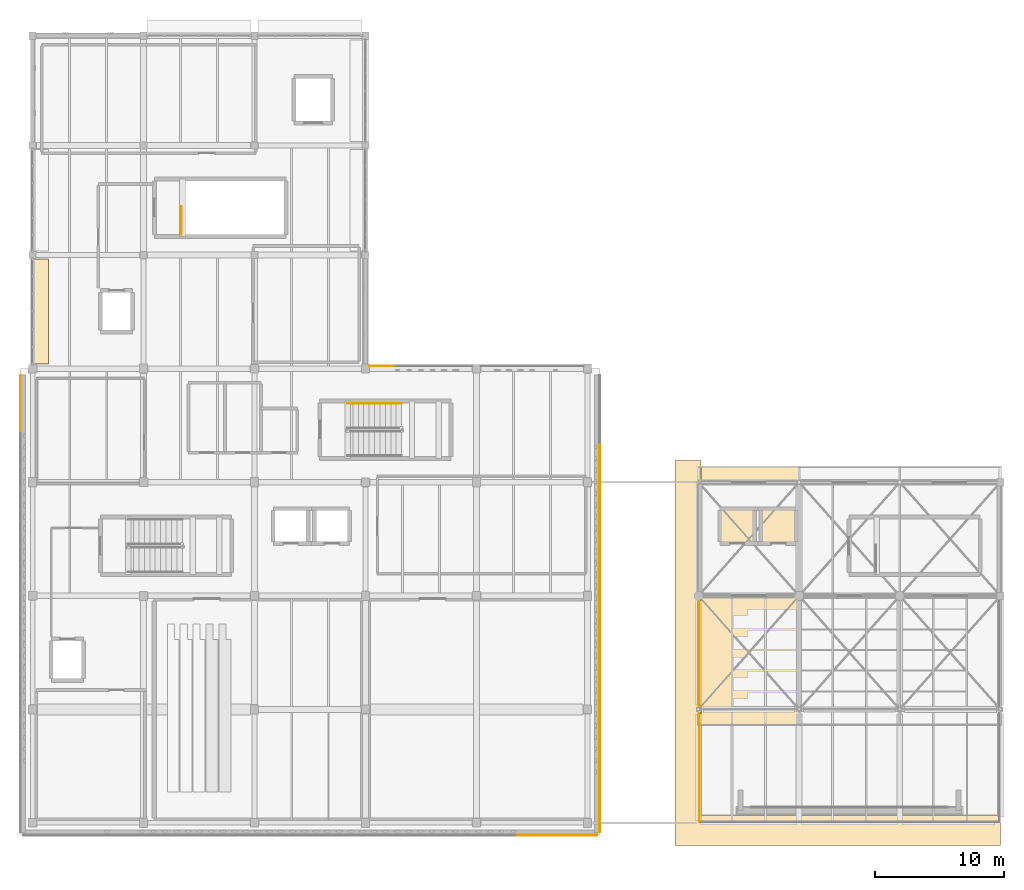
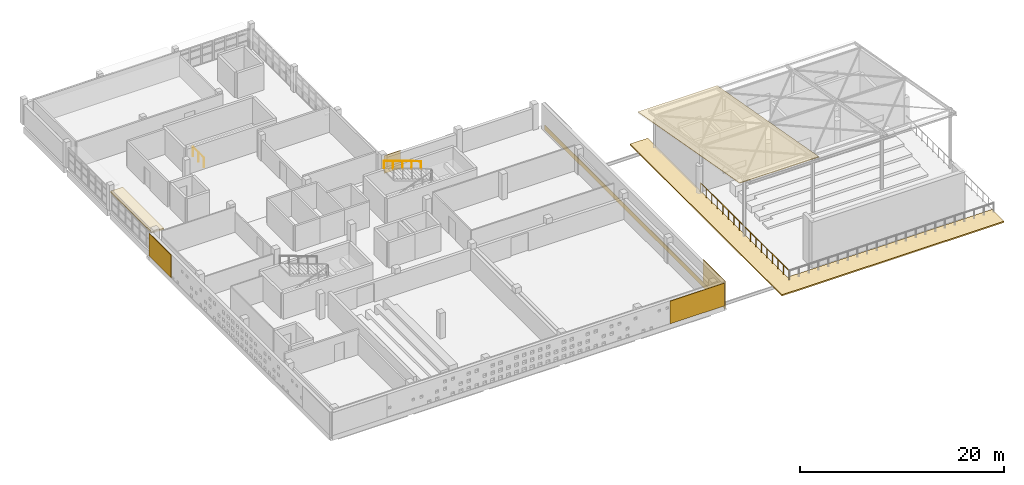
# One storey, part 32 of 34: 8 coverings, 3 railings.
"""IFC4 building model written with IfcOpenShell, lengths in metres."""

from ifc_helpers import new_model, si_unit, direction, frame, origin, origin_2d, place, context, subcontext, project, spatial, polyline, rectangle, circle, outline, extrude, material, layer, layer_set, type_object, element, save


model = new_model("IFC4")

# Units and contexts
model_context = context("Model", 3, precision=1e-05, world=origin(), true_north=direction((0.0, 1.0)))
body_context = subcontext(model_context, "Body", "Model", "MODEL_VIEW")
ifc_project = project(units=[si_unit("LENGTHUNIT", "METRE"), si_unit("AREAUNIT", "SQUARE_METRE"), si_unit("VOLUMEUNIT", "CUBIC_METRE"), si_unit("PLANEANGLEUNIT", "RADIAN"), si_unit("MASSUNIT", "GRAM", prefix="KILO")], contexts=[model_context])

# Site, building, storey
site_placement = place(None, origin())
site = spatial("IfcSite", under=ifc_project, at=site_placement, CompositionType="ELEMENT")
building_placement = place(site_placement, origin())
building = spatial("IfcBuilding", under=site, at=building_placement, Name="Varnakota Cinema and Media Centre", CompositionType="ELEMENT")
storey_placement = place(building_placement, frame((0.0, 0.0, 19.050048828125)))
storey = spatial("IfcBuildingStorey", under=building, at=storey_placement, Name="L05", CompositionType="ELEMENT", Elevation=19.050048828125)

# Coverings
ifc_material_1 = material(Name="Precast concrete M40", Category="concrete")
ifc_layer_1 = layer(ifc_material_1, 0.159912109375)
ifc_layer_set_1 = layer_set([ifc_layer_1], Name="Precast concrete M40")
covering_type_1 = type_object("IfcCoveringType", Name="COV-CHAJJA-160", PredefinedType="CLADDING", material=ifc_layer_set_1)
covering_1_placement = place(storey_placement, frame((0.0, 0.0, -0.16015625)))
element("IfcCovering", 1, at=covering_1_placement, inside=storey, type_object=covering_type_1, Name="L05 V6 diamond foyer overhanging crown cornice", PredefinedType="CLADDING", context=body_context, shape_type="SweptSolid", body=[
    extrude(outline(polyline([(49.800048828125, -1.75), (75.0, -1.75), (75.0, 0.60009765625), (51.800048828125, 0.60009765625), (51.800048828125, 28.10009765625), (49.800048828125, 28.10009765625), (49.800048828125, -1.75)])), origin(), (0.0, 0.0, 1.0), 0.16015625),
])
covering_2_placement = place(storey_placement, frame((0.0, 0.0, 2.23486328125)))
element("IfcCovering", 2, at=covering_2_placement, inside=storey, type_object=covering_type_1, Name="L05 Brutalist chajja overhang V5-W-3", PredefinedType="CLADDING", context=body_context, shape_type="SweptSolid", body=[
    extrude(outline(polyline([(-0.179931640625, 43.68505859375), (-0.179931640625, 35.56494140625), (1.219970703125, 35.56494140625), (1.219970703125, 43.68505859375), (-0.179931640625, 43.68505859375)])), origin(), (0.0, 0.0, 1.0), 0.16015625),
])
ifc_material_2 = material(Name="Pale Tandur limestone cool roof", Category="masonry")
ifc_layer_2 = layer(ifc_material_2, 0.080078125)
ifc_layer_set_2 = layer_set([ifc_layer_2], Name="Pale Tandur limestone cool roof")
covering_type_2 = type_object("IfcCoveringType", Name="COV-COOLROOF-80", PredefinedType="ROOFING", material=ifc_layer_set_2)
covering_3_placement = place(storey_placement, frame((50.39990234375, 7.60009765625, 7.550048828125), z_axis=(0.0, 0.177157653077, 0.984182486105), x_axis=(1.0, 0.0, 0.0)))
element("IfcCovering", 3, at=covering_3_placement, inside=storey, type_object=covering_type_2, Name="V3 rooftop amphitheatre cool-roof panel 1", PredefinedType="ROOFING", context=body_context, shape_type="SweptSolid", body=[
    extrude(outline(polyline([(0.0, 0.0), (9.0, 0.0), (9.0, 20.321434573733637), (0.0, 20.321434573733637), (0.0, 0.0)])), origin(), (0.0, 0.0, -1.0), 0.070068359375),
])
ifc_material_3 = material(Name="Pale Tandur limestone cladding", Category="masonry")
ifc_layer_3 = layer(ifc_material_3, 0.06005859375)
ifc_layer_set_3 = layer_set([ifc_layer_3], Name="Pale Tandur limestone cladding")
covering_type_3 = type_object("IfcCoveringType", Name="COV-TANDUR-ASHLAR-60", PredefinedType="CLADDING", material=ifc_layer_set_3)
covering_4_placement = place(storey_placement, frame((40.655029296875, -0.945068359375, 0.330078125), z_axis=(0.0, 0.0, 1.0), x_axis=(-1.0, 0.0, 0.0)))
element("IfcCovering", 4, at=covering_4_placement, inside=storey, type_object=covering_type_3, Name="L05 V4 pale Tandur stone left corner ashlar V4-S", PredefinedType="CLADDING", context=body_context, shape_type="SweptSolid", body=[
    extrude(rectangle(XDim=6.169921875, YDim=0.06005859375, at=origin_2d()), origin(), (0.0, 0.0, 1.0), 2.72998046875),
])
covering_5_placement = place(storey_placement, frame((-0.945068359375, 32.52490234375, 0.330078125), z_axis=(0.0, 0.0, 1.0), x_axis=(0.0, 1.0, 0.0)))
element("IfcCovering", 5, at=covering_5_placement, inside=storey, type_object=covering_type_3, Name="L05 V4 pale Tandur stone right corner ashlar V4-W", PredefinedType="CLADDING", context=body_context, shape_type="SweptSolid", body=[
    extrude(rectangle(XDim=4.35009765625, YDim=0.06005859375, at=origin_2d()), origin(), (0.0, 0.0, 1.0), 2.72998046875),
])
covering_6_placement = place(storey_placement, frame((43.945068359375, 16.97998046875, -0.25), z_axis=(0.0, 0.0, 1.0), x_axis=(0.0, -1.0, 0.0)))
element("IfcCovering", 6, at=covering_6_placement, inside=storey, type_object=covering_type_3, Name="L05 V4 pale Tandur stone spandrel ashlar V4-E", PredefinedType="CLADDING", context=body_context, shape_type="SweptSolid", body=[
    extrude(rectangle(XDim=35.43994140625, YDim=0.06005859375, at=origin_2d()), origin(), (0.0, 0.0, 1.0), 0.580078125),
])
covering_7_placement = place(storey_placement, frame((43.945068359375, 1.43505859375, 0.330078125), z_axis=(0.0, 0.0, 1.0), x_axis=(0.0, -1.0, 0.0)))
element("IfcCovering", 7, at=covering_7_placement, inside=storey, type_object=covering_type_3, Name="L05 V4 pale Tandur stone right corner ashlar V4-E", PredefinedType="CLADDING", context=body_context, shape_type="SweptSolid", body=[
    extrude(rectangle(XDim=4.35009765625, YDim=0.06005859375, at=origin_2d()), origin(), (0.0, 0.0, 1.0), 2.72998046875),
])
covering_8_placement = place(storey_placement, frame((27.03369140625, 35.405029296875, 0.330078125), z_axis=(0.0, 0.0, 1.0), x_axis=(1.0, 0.0, 0.0)))
element("IfcCovering", 8, at=covering_8_placement, inside=storey, type_object=covering_type_3, Name="L05 V4 pale Tandur stone left corner ashlar V4-N-01", PredefinedType="CLADDING", context=body_context, shape_type="SweptSolid", body=[
    extrude(rectangle(XDim=1.867431640625, YDim=0.06005859375, at=origin_2d()), origin(), (0.0, 0.0, 1.0), 2.114990234375),
])

# Railings
ifc_material_4 = material(Name="Anodised golden-bronze steel Grade 350 (E350)", Category="steel")
ifc_layer_4 = layer(ifc_material_4, 0.050048828125)
ifc_layer_set_4 = layer_set([ifc_layer_4], Name="Anodised golden-bronze steel Grade 350 (E350)")
railing_type_1 = type_object("IfcRailingType", Name="RAIL-GUARD-1150", PredefinedType="BALUSTRADE", material=ifc_layer_set_4)
railing_1_placement = place(storey_placement, frame((51.679931640625, 17.469970703125, 0.0)))
element("IfcRailing", 9, at=railing_1_placement, inside=storey, type_object=railing_type_1, Name="L05 guard balustrade GRD-L05-V3-1", PredefinedType="BALUSTRADE", context=body_context, shape_type="SweptSolid", body=[
    extrude(circle(Radius=0.02392578125, at=origin_2d()), frame((0.0, 0.0, 1.1259765625), z_axis=(0.0, -1.0, 0.0), x_axis=(1.0, 0.0, 0.0)), (0.0, 0.0, 1.0), 17.35986328125),
    extrude(circle(Radius=0.02099609375, at=origin_2d()), origin(), (0.0, 0.0, 1.0), 1.101806640625),
    extrude(circle(Radius=0.02099609375, at=origin_2d()), frame((0.0, -1.0849609375, 0.0)), (0.0, 0.0, 1.0), 1.101806640625),
    extrude(circle(Radius=0.02099609375, at=origin_2d()), frame((0.0, -2.169921875, 0.0)), (0.0, 0.0, 1.0), 1.101806640625),
    extrude(circle(Radius=0.02099609375, at=origin_2d()), frame((0.0, -3.2548828125, 0.0)), (0.0, 0.0, 1.0), 1.101806640625),
    extrude(circle(Radius=0.02099609375, at=origin_2d()), frame((0.0, -4.33984375, 0.0)), (0.0, 0.0, 1.0), 1.101806640625),
    extrude(circle(Radius=0.02099609375, at=origin_2d()), frame((0.0, -5.425048828125, 0.0)), (0.0, 0.0, 1.0), 1.101806640625),
    extrude(circle(Radius=0.02099609375, at=origin_2d()), frame((0.0, -6.510009765625, 0.0)), (0.0, 0.0, 1.0), 1.101806640625),
    extrude(circle(Radius=0.02099609375, at=origin_2d()), frame((0.0, -7.594970703125, 0.0)), (0.0, 0.0, 1.0), 1.101806640625),
    extrude(circle(Radius=0.02099609375, at=origin_2d()), frame((0.0, -8.679931640625, 0.0)), (0.0, 0.0, 1.0), 1.101806640625),
    extrude(circle(Radius=0.02099609375, at=origin_2d()), frame((0.0, -9.764892578125, 0.0)), (0.0, 0.0, 1.0), 1.101806640625),
    extrude(circle(Radius=0.02099609375, at=origin_2d()), frame((0.0, -10.849853515625, 0.0)), (0.0, 0.0, 1.0), 1.101806640625),
    extrude(circle(Radius=0.02099609375, at=origin_2d()), frame((0.0, -11.934814453125, 0.0)), (0.0, 0.0, 1.0), 1.101806640625),
    extrude(circle(Radius=0.02099609375, at=origin_2d()), frame((0.0, -13.02001953125, 0.0)), (0.0, 0.0, 1.0), 1.101806640625),
    extrude(circle(Radius=0.02099609375, at=origin_2d()), frame((0.0, -14.10498046875, 0.0)), (0.0, 0.0, 1.0), 1.101806640625),
    extrude(circle(Radius=0.02099609375, at=origin_2d()), frame((0.0, -15.18994140625, 0.0)), (0.0, 0.0, 1.0), 1.101806640625),
    extrude(circle(Radius=0.02099609375, at=origin_2d()), frame((0.0, -16.27490234375, 0.0)), (0.0, 0.0, 1.0), 1.101806640625),
    extrude(circle(Radius=0.02099609375, at=origin_2d()), frame((0.0, -17.35986328125, 0.0)), (0.0, 0.0, 1.0), 1.101806640625),
])
ifc_material_5 = material(Name="Structural steel Grade 350 (E350)", Category="steel")
ifc_layer_5 = layer(ifc_material_5, 0.050048828125)
ifc_layer_set_5 = layer_set([ifc_layer_5], Name="Structural steel Grade 350 (E350)")
railing_type_2 = type_object("IfcRailingType", Name="RAIL-STAIR-GUARD-1150", PredefinedType="GUARDRAIL", material=ifc_layer_set_5)
railing_2_placement = place(storey_placement, frame((11.550048828125, 45.60009765625, 0.0)))
element("IfcRailing", 10, at=railing_2_placement, inside=storey, type_object=railing_type_2, Name="L05 ST-03 top well guard 1", PredefinedType="GUARDRAIL", context=body_context, shape_type="SweptSolid", body=[
    extrude(circle(Radius=0.02392578125, at=origin_2d()), frame((0.0, 0.0, 1.1259765625), z_axis=(0.0, 1.0, 0.0), x_axis=(-1.0, 0.0, 0.0)), (0.0, 0.0, 1.0), 2.14990234375),
    extrude(circle(Radius=0.02099609375, at=origin_2d()), origin(), (0.0, 0.0, 1.0), 1.101806640625),
    extrude(circle(Radius=0.02099609375, at=origin_2d()), frame((0.0, 1.074951171875, 0.0)), (0.0, 0.0, 1.0), 1.101806640625),
    extrude(circle(Radius=0.02099609375, at=origin_2d()), frame((0.0, 2.14990234375, 0.0)), (0.0, 0.0, 1.0), 1.101806640625),
])
ifc_material_6 = material(Name="Structural steel Grade 350 (E350)", Category="steel")
ifc_layer_6 = layer(ifc_material_6, 0.048095703125)
ifc_layer_set_6 = layer_set([ifc_layer_6], Name="Structural steel Grade 350 (E350)")
railing_type_3 = type_object("IfcRailingType", Name="RAIL-STAIR-HAND-900", PredefinedType="HANDRAIL", material=ifc_layer_set_6)
railing_3_placement = place(storey_placement, frame((28.60009765625, 32.5, 1.800048828125)))
element("IfcRailing", 11, at=railing_3_placement, inside=storey, type_object=railing_type_3, Name="L05 ST-02 stair handrail 2", PredefinedType="HANDRAIL", context=body_context, shape_type="SweptSolid", body=[
    extrude(circle(Radius=0.02392578125, at=origin_2d()), frame((0.0, 0.0, 0.8759765625), z_axis=(-0.941746865338, 0.0, 0.336322526194), x_axis=(0.0, -1.0, 0.0)), (0.0, 0.0, 1.0), 4.4599609375),
    extrude(circle(Radius=0.02099609375, at=origin_2d()), origin(), (0.0, 0.0, 1.0), 0.851806640625),
    extrude(circle(Radius=0.02099609375, at=origin_2d()), frame((-1.050048828125, 0.0, 0.375)), (0.0, 0.0, 1.0), 0.851806640625),
    extrude(circle(Radius=0.02099609375, at=origin_2d()), frame((-2.10009765625, 0.0, 0.75)), (0.0, 0.0, 1.0), 0.851806640625),
    extrude(circle(Radius=0.02099609375, at=origin_2d()), frame((-3.150146484375, 0.0, 1.125)), (0.0, 0.0, 1.0), 0.851806640625),
    extrude(circle(Radius=0.02099609375, at=origin_2d()), frame((-4.2001953125, 0.0, 1.5)), (0.0, 0.0, 1.0), 0.851806640625),
])

save(model, "model.ifc")
